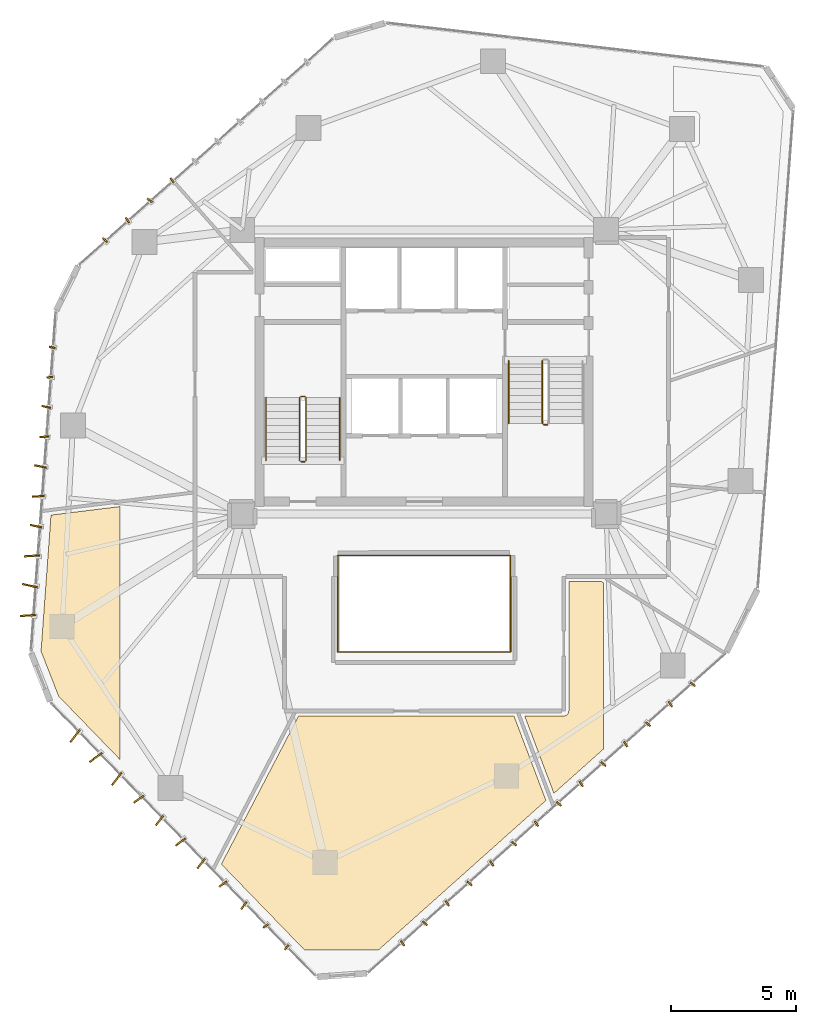
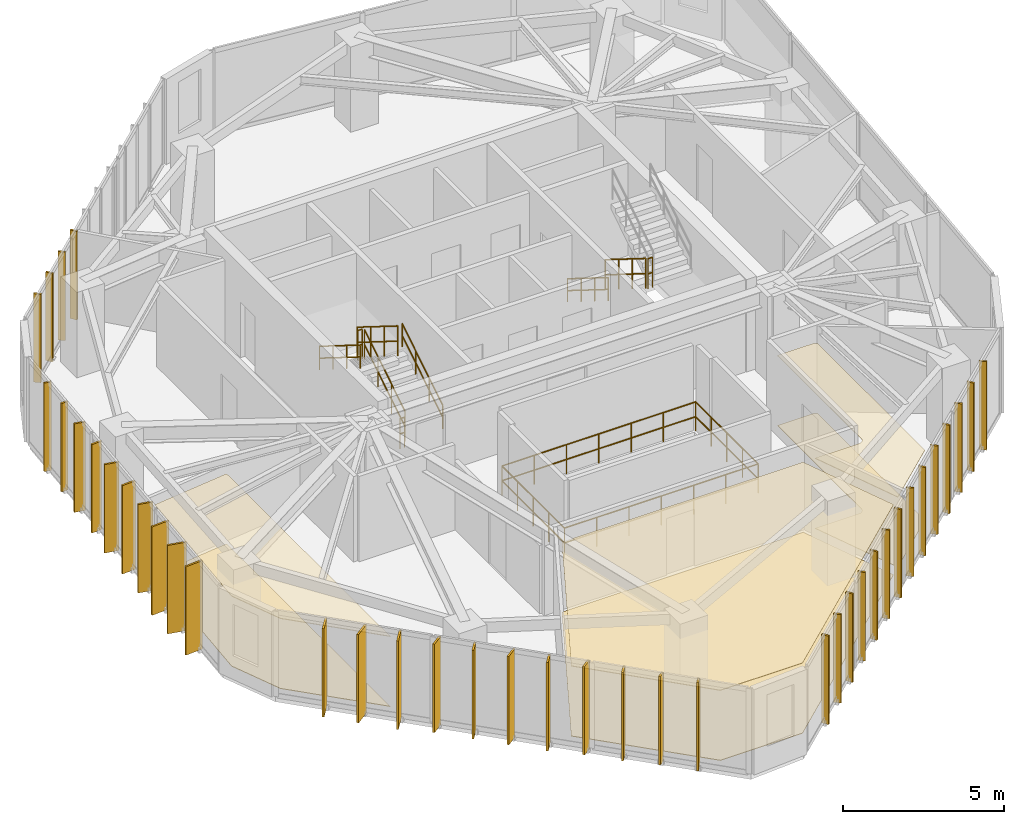
# One storey, part 19 of 20: 39 shading devices, 13 railings, 6 coverings.
"""IFC4 building model written with IfcOpenShell, lengths in metres."""

from ifc_helpers import new_model, si_unit, direction, frame, origin, origin_2d, place, context, subcontext, project, spatial, polyline, rectangle, circle, outline, extrude, source, transform, mapped, material, layer, layer_set, type_object, type_shapes, element, save


model = new_model("IFC4")

# Units and contexts
model_context = context("Model", 3, precision=1e-05, world=origin(), true_north=direction((0.0, 1.0)))
body_context = subcontext(model_context, "Body", "Model", "MODEL_VIEW")
ifc_project = project(units=[si_unit("LENGTHUNIT", "METRE"), si_unit("AREAUNIT", "SQUARE_METRE"), si_unit("VOLUMEUNIT", "CUBIC_METRE"), si_unit("PLANEANGLEUNIT", "RADIAN"), si_unit("MASSUNIT", "GRAM", prefix="KILO")], contexts=[model_context])

# Site, building, storey
site_placement = place(None, origin())
site = spatial("IfcSite", under=ifc_project, at=site_placement, CompositionType="ELEMENT")
building_placement = place(site_placement, origin())
building = spatial("IfcBuilding", under=site, at=building_placement, Name="Talar Marvaseh", CompositionType="ELEMENT")
storey_placement = place(building_placement, frame((0.0, 0.0, 215.199951171875)))
storey = spatial("IfcBuildingStorey", under=building, at=storey_placement, Name="L56", CompositionType="ELEMENT", Elevation=215.199951171875)

# Railings
ifc_material_1 = material(Name="Stainless Steel Grade 316", Category="steel")
railing_type_1 = type_object("IfcRailingType", Name="Brushed Stainless Wall Pitch Handrail 900", PredefinedType="HANDRAIL", material=ifc_material_1)
railing_1_placement = place(storey_placement, frame((22.610107421875, 27.64990234375, 0.175048828125)))
element("IfcRailing", 1, at=railing_1_placement, inside=storey, type_object=railing_type_1, Name="L56 ST-1 stair handrail 1", PredefinedType="HANDRAIL", context=body_context, shape_type="SweptSolid", body=[
    extrude(circle(Radius=0.02392578125, at=origin_2d()), frame((0.0, 0.0, 0.8759765625), z_axis=(0.0, 0.848007534815, 0.529984170421), x_axis=(-1.0, 0.0, 0.0)), (0.0, 0.0, 1.0), 2.9716796875),
    extrude(circle(Radius=0.02392578125, at=origin_2d()), frame((0.0, 0.0, 0.42578125), z_axis=(0.0, 0.848007534815, 0.529984170421), x_axis=(-1.0, 0.0, 0.0)), (0.0, 0.0, 1.0), 2.9716796875),
    extrude(circle(Radius=0.02099609375, at=origin_2d()), origin(), (0.0, 0.0, 1.0), 0.851806640625),
    extrude(circle(Radius=0.02099609375, at=origin_2d()), frame((0.0, 0.840087890625, 0.52490234375)), (0.0, 0.0, 1.0), 0.851806640625),
    extrude(circle(Radius=0.02099609375, at=origin_2d()), frame((0.0, 1.679931640625, 1.050048828125)), (0.0, 0.0, 1.0), 0.851806640625),
    extrude(circle(Radius=0.02099609375, at=origin_2d()), frame((0.0, 2.52001953125, 1.574951171875)), (0.0, 0.0, 1.0), 0.851806640625),
])
for number, where, name in (
    (2, (19.64990234375, 30.169921875, 1.925048828125), "L56 ST-1 stair handrail 2"),
    (3, (29.389892578125, 31.64990234375, 0.175048828125), "L56 ST-2 stair handrail 1"),
):
    element("IfcRailing", number, at=place(storey_placement, frame(where)), inside=storey, type_object=railing_type_1, Name=name, PredefinedType="HANDRAIL", context=body_context, shape_type="SweptSolid", body=[
        extrude(circle(Radius=0.02392578125, at=origin_2d()), frame((0.0, 0.0, 0.8759765625), z_axis=(0.0, -0.848007534815, 0.529984170421), x_axis=(1.0, 0.0, 0.0)), (0.0, 0.0, 1.0), 2.9716796875),
        extrude(circle(Radius=0.02392578125, at=origin_2d()), frame((0.0, 0.0, 0.42578125), z_axis=(0.0, -0.848007534815, 0.529984170421), x_axis=(1.0, 0.0, 0.0)), (0.0, 0.0, 1.0), 2.9716796875),
        extrude(circle(Radius=0.02099609375, at=origin_2d()), origin(), (0.0, 0.0, 1.0), 0.851806640625),
        extrude(circle(Radius=0.02099609375, at=origin_2d()), frame((0.0, -0.840087890625, 0.52490234375)), (0.0, 0.0, 1.0), 0.851806640625),
        extrude(circle(Radius=0.02099609375, at=origin_2d()), frame((0.0, -1.679931640625, 1.050048828125)), (0.0, 0.0, 1.0), 0.851806640625),
        extrude(circle(Radius=0.02099609375, at=origin_2d()), frame((0.0, -2.52001953125, 1.574951171875)), (0.0, 0.0, 1.0), 0.851806640625),
    ])
ifc_material_2 = material(Name="Tempered Clear Glass", Category="glass")
railing_type_2 = type_object("IfcRailingType", Name="Interior Atrium Edge Balustrade 1120", PredefinedType="BALUSTRADE", material=ifc_material_2)
railing_2_placement = place(storey_placement, frame((22.5302734375, 19.9609375, 0.0)))
element("IfcRailing", 4, at=railing_2_placement, inside=storey, type_object=railing_type_2, Name="L56 Internal Daylight Atrium Balustrade 1", PredefinedType="BALUSTRADE", context=body_context, shape_type="SweptSolid", body=[
    extrude(circle(Radius=0.02392578125, at=origin_2d()), frame((0.0, 0.0, 1.09619140625), z_axis=(1.0, 0.0, 0.0), x_axis=(0.0, 1.0, 0.0)), (0.0, 0.0, 1.0), 6.939453125),
    extrude(circle(Radius=0.02392578125, at=origin_2d()), frame((0.0, 0.0, 0.5361328125), z_axis=(1.0, 0.0, 0.0), x_axis=(0.0, 1.0, 0.0)), (0.0, 0.0, 1.0), 6.939453125),
    extrude(circle(Radius=0.02099609375, at=origin_2d()), origin(), (0.0, 0.0, 1.0), 1.072021484375),
    extrude(circle(Radius=0.02099609375, at=origin_2d()), frame((1.156494140625, 0.0, 0.0)), (0.0, 0.0, 1.0), 1.072021484375),
    extrude(circle(Radius=0.02099609375, at=origin_2d()), frame((2.313232421875, 0.0, 0.0)), (0.0, 0.0, 1.0), 1.072021484375),
    extrude(circle(Radius=0.02099609375, at=origin_2d()), frame((3.4697265625, 0.0, 0.0)), (0.0, 0.0, 1.0), 1.072021484375),
    extrude(circle(Radius=0.02099609375, at=origin_2d()), frame((4.626220703125, 0.0, 0.0)), (0.0, 0.0, 1.0), 1.072021484375),
    extrude(circle(Radius=0.02099609375, at=origin_2d()), frame((5.782958984375, 0.0, 0.0)), (0.0, 0.0, 1.0), 1.072021484375),
    extrude(circle(Radius=0.02099609375, at=origin_2d()), frame((6.939453125, 0.0, 0.0)), (0.0, 0.0, 1.0), 1.072021484375),
])
railing_3_placement = place(storey_placement, frame((29.4697265625, 19.9609375, 0.0)))
element("IfcRailing", 5, at=railing_3_placement, inside=storey, type_object=railing_type_2, Name="L56 Internal Daylight Atrium Balustrade 2", PredefinedType="BALUSTRADE", context=body_context, shape_type="SweptSolid", body=[
    extrude(circle(Radius=0.02392578125, at=origin_2d()), frame((0.0, 0.0, 1.09619140625), z_axis=(0.0, 1.0, 0.0), x_axis=(-1.0, 0.0, 0.0)), (0.0, 0.0, 1.0), 3.878173828125),
    extrude(circle(Radius=0.02392578125, at=origin_2d()), frame((0.0, 0.0, 0.5361328125), z_axis=(0.0, 1.0, 0.0), x_axis=(-1.0, 0.0, 0.0)), (0.0, 0.0, 1.0), 3.878173828125),
    extrude(circle(Radius=0.02099609375, at=origin_2d()), origin(), (0.0, 0.0, 1.0), 1.072021484375),
    extrude(circle(Radius=0.02099609375, at=origin_2d()), frame((0.0, 0.969482421875, 0.0)), (0.0, 0.0, 1.0), 1.072021484375),
    extrude(circle(Radius=0.02099609375, at=origin_2d()), frame((0.0, 1.93896484375, 0.0)), (0.0, 0.0, 1.0), 1.072021484375),
    extrude(circle(Radius=0.02099609375, at=origin_2d()), frame((0.0, 2.90869140625, 0.0)), (0.0, 0.0, 1.0), 1.072021484375),
    extrude(circle(Radius=0.02099609375, at=origin_2d()), frame((0.0, 3.878173828125, 0.0)), (0.0, 0.0, 1.0), 1.072021484375),
])
railing_4_placement = place(storey_placement, frame((29.4697265625, 23.839111328125, 0.0)))
element("IfcRailing", 6, at=railing_4_placement, inside=storey, type_object=railing_type_2, Name="L56 Internal Daylight Atrium Balustrade 3", PredefinedType="BALUSTRADE", context=body_context, shape_type="SweptSolid", body=[
    extrude(circle(Radius=0.02392578125, at=origin_2d()), frame((0.0, 0.0, 1.09619140625), z_axis=(-1.0, 0.0, 0.0), x_axis=(0.0, -1.0, 0.0)), (0.0, 0.0, 1.0), 6.939453125),
    extrude(circle(Radius=0.02392578125, at=origin_2d()), frame((0.0, 0.0, 0.5361328125), z_axis=(-1.0, 0.0, 0.0), x_axis=(0.0, -1.0, 0.0)), (0.0, 0.0, 1.0), 6.939453125),
    extrude(circle(Radius=0.02099609375, at=origin_2d()), origin(), (0.0, 0.0, 1.0), 1.072021484375),
    extrude(circle(Radius=0.02099609375, at=origin_2d()), frame((-1.156494140625, 0.0, 0.0)), (0.0, 0.0, 1.0), 1.072021484375),
    extrude(circle(Radius=0.02099609375, at=origin_2d()), frame((-2.313232421875, 0.0, 0.0)), (0.0, 0.0, 1.0), 1.072021484375),
    extrude(circle(Radius=0.02099609375, at=origin_2d()), frame((-3.4697265625, 0.0, 0.0)), (0.0, 0.0, 1.0), 1.072021484375),
    extrude(circle(Radius=0.02099609375, at=origin_2d()), frame((-4.626220703125, 0.0, 0.0)), (0.0, 0.0, 1.0), 1.072021484375),
    extrude(circle(Radius=0.02099609375, at=origin_2d()), frame((-5.782958984375, 0.0, 0.0)), (0.0, 0.0, 1.0), 1.072021484375),
    extrude(circle(Radius=0.02099609375, at=origin_2d()), frame((-6.939453125, 0.0, 0.0)), (0.0, 0.0, 1.0), 1.072021484375),
])
railing_5_placement = place(storey_placement, frame((22.5302734375, 23.839111328125, 0.0)))
element("IfcRailing", 7, at=railing_5_placement, inside=storey, type_object=railing_type_2, Name="L56 Internal Daylight Atrium Balustrade 4", PredefinedType="BALUSTRADE", context=body_context, shape_type="SweptSolid", body=[
    extrude(circle(Radius=0.02392578125, at=origin_2d()), frame((0.0, 0.0, 1.09619140625), z_axis=(0.0, -1.0, 0.0), x_axis=(1.0, 0.0, 0.0)), (0.0, 0.0, 1.0), 3.878173828125),
    extrude(circle(Radius=0.02392578125, at=origin_2d()), frame((0.0, 0.0, 0.5361328125), z_axis=(0.0, -1.0, 0.0), x_axis=(1.0, 0.0, 0.0)), (0.0, 0.0, 1.0), 3.878173828125),
    extrude(circle(Radius=0.02099609375, at=origin_2d()), origin(), (0.0, 0.0, 1.0), 1.072021484375),
    extrude(circle(Radius=0.02099609375, at=origin_2d()), frame((0.0, -0.969482421875, 0.0)), (0.0, 0.0, 1.0), 1.072021484375),
    extrude(circle(Radius=0.02099609375, at=origin_2d()), frame((0.0, -1.93896484375, 0.0)), (0.0, 0.0, 1.0), 1.072021484375),
    extrude(circle(Radius=0.02099609375, at=origin_2d()), frame((0.0, -2.90869140625, 0.0)), (0.0, 0.0, 1.0), 1.072021484375),
    extrude(circle(Radius=0.02099609375, at=origin_2d()), frame((0.0, -3.878173828125, 0.0)), (0.0, 0.0, 1.0), 1.072021484375),
])
railing_type_3 = type_object("IfcRailingType", Name="Painted Steel Core Stair Well Guardrail 1150", PredefinedType="GUARDRAIL", material=ifc_material_1)
railing_6_placement = place(storey_placement, frame((21.260009765625, 27.64990234375, 0.175048828125)))
element("IfcRailing", 8, at=railing_6_placement, inside=storey, type_object=railing_type_3, Name="L56 ST-1 stair guard 1", PredefinedType="GUARDRAIL", context=body_context, shape_type="SweptSolid", body=[
    extrude(circle(Radius=0.02392578125, at=origin_2d()), frame((0.0, 0.0, 1.1259765625), z_axis=(0.0, 0.848007534815, 0.529984170421), x_axis=(-1.0, 0.0, 0.0)), (0.0, 0.0, 1.0), 2.9716796875),
    extrude(circle(Radius=0.02392578125, at=origin_2d()), frame((0.0, 0.0, 0.55078125), z_axis=(0.0, 0.848007534815, 0.529984170421), x_axis=(-1.0, 0.0, 0.0)), (0.0, 0.0, 1.0), 2.9716796875),
    extrude(circle(Radius=0.02099609375, at=origin_2d()), origin(), (0.0, 0.0, 1.0), 1.101806640625),
    extrude(circle(Radius=0.02099609375, at=origin_2d()), frame((0.0, 0.840087890625, 0.52490234375)), (0.0, 0.0, 1.0), 1.101806640625),
    extrude(circle(Radius=0.02099609375, at=origin_2d()), frame((0.0, 1.679931640625, 1.050048828125)), (0.0, 0.0, 1.0), 1.101806640625),
    extrude(circle(Radius=0.02099609375, at=origin_2d()), frame((0.0, 2.52001953125, 1.574951171875)), (0.0, 0.0, 1.0), 1.101806640625),
])
railing_7_placement = place(storey_placement, frame((21.2099609375, 30.219970703125, 1.75)))
element("IfcRailing", 9, at=railing_7_placement, inside=storey, type_object=railing_type_3, Name="L56 ST-1 stair guard 2", PredefinedType="GUARDRAIL", context=body_context, shape_type="SweptSolid", body=[
    extrude(circle(Radius=0.02392578125, at=origin_2d()), frame((0.0, 0.0, 1.1259765625), z_axis=(-1.0, 0.0, 0.0), x_axis=(0.0, -1.0, 0.0)), (0.0, 0.0, 1.0), 0.159912109375),
    extrude(circle(Radius=0.02392578125, at=origin_2d()), frame((0.0, 0.0, 0.55078125), z_axis=(-1.0, 0.0, 0.0), x_axis=(0.0, -1.0, 0.0)), (0.0, 0.0, 1.0), 0.159912109375),
    extrude(circle(Radius=0.02099609375, at=origin_2d()), origin(), (0.0, 0.0, 1.0), 1.101806640625),
    extrude(circle(Radius=0.02099609375, at=origin_2d()), frame((-0.159912109375, 0.0, 0.0)), (0.0, 0.0, 1.0), 1.101806640625),
])
railing_8_placement = place(storey_placement, frame((21.0, 30.169921875, 1.925048828125)))
element("IfcRailing", 10, at=railing_8_placement, inside=storey, type_object=railing_type_3, Name="L56 ST-1 stair guard 3", PredefinedType="GUARDRAIL", context=body_context, shape_type="SweptSolid", body=[
    extrude(circle(Radius=0.02392578125, at=origin_2d()), frame((0.0, 0.0, 1.1259765625), z_axis=(0.0, -0.848007534815, 0.529984170421), x_axis=(1.0, 0.0, 0.0)), (0.0, 0.0, 1.0), 2.9716796875),
    extrude(circle(Radius=0.02392578125, at=origin_2d()), frame((0.0, 0.0, 0.55078125), z_axis=(0.0, -0.848007534815, 0.529984170421), x_axis=(1.0, 0.0, 0.0)), (0.0, 0.0, 1.0), 2.9716796875),
    extrude(circle(Radius=0.02099609375, at=origin_2d()), origin(), (0.0, 0.0, 1.0), 1.101806640625),
    extrude(circle(Radius=0.02099609375, at=origin_2d()), frame((0.0, -0.840087890625, 0.52490234375)), (0.0, 0.0, 1.0), 1.101806640625),
    extrude(circle(Radius=0.02099609375, at=origin_2d()), frame((0.0, -1.679931640625, 1.050048828125)), (0.0, 0.0, 1.0), 1.101806640625),
    extrude(circle(Radius=0.02099609375, at=origin_2d()), frame((0.0, -2.52001953125, 1.574951171875)), (0.0, 0.0, 1.0), 1.101806640625),
])
railing_9_placement = place(storey_placement, frame((21.2099609375, 27.60009765625, 0.0)))
element("IfcRailing", 11, at=railing_9_placement, inside=storey, type_object=railing_type_3, Name="L56 ST-1 stair guard 4", PredefinedType="GUARDRAIL", context=body_context, shape_type="SweptSolid", body=[
    extrude(circle(Radius=0.02392578125, at=origin_2d()), frame((0.0, 0.0, 1.1259765625), z_axis=(-1.0, 0.0, 0.0), x_axis=(0.0, -1.0, 0.0)), (0.0, 0.0, 1.0), 0.159912109375),
    extrude(circle(Radius=0.02392578125, at=origin_2d()), frame((0.0, 0.0, 0.55078125), z_axis=(-1.0, 0.0, 0.0), x_axis=(0.0, -1.0, 0.0)), (0.0, 0.0, 1.0), 0.159912109375),
    extrude(circle(Radius=0.02099609375, at=origin_2d()), origin(), (0.0, 0.0, 1.0), 1.101806640625),
    extrude(circle(Radius=0.02099609375, at=origin_2d()), frame((-0.159912109375, 0.0, 0.0)), (0.0, 0.0, 1.0), 1.101806640625),
])
railing_10_placement = place(storey_placement, frame((30.739990234375, 31.64990234375, 0.175048828125)))
element("IfcRailing", 12, at=railing_10_placement, inside=storey, type_object=railing_type_3, Name="L56 ST-2 stair guard 1", PredefinedType="GUARDRAIL", context=body_context, shape_type="SweptSolid", body=[
    extrude(circle(Radius=0.02392578125, at=origin_2d()), frame((0.0, 0.0, 1.1259765625), z_axis=(0.0, -0.848007534815, 0.529984170421), x_axis=(1.0, 0.0, 0.0)), (0.0, 0.0, 1.0), 2.9716796875),
    extrude(circle(Radius=0.02392578125, at=origin_2d()), frame((0.0, 0.0, 0.55078125), z_axis=(0.0, -0.848007534815, 0.529984170421), x_axis=(1.0, 0.0, 0.0)), (0.0, 0.0, 1.0), 2.9716796875),
    extrude(circle(Radius=0.02099609375, at=origin_2d()), origin(), (0.0, 0.0, 1.0), 1.101806640625),
    extrude(circle(Radius=0.02099609375, at=origin_2d()), frame((0.0, -0.840087890625, 0.52490234375)), (0.0, 0.0, 1.0), 1.101806640625),
    extrude(circle(Radius=0.02099609375, at=origin_2d()), frame((0.0, -1.679931640625, 1.050048828125)), (0.0, 0.0, 1.0), 1.101806640625),
    extrude(circle(Radius=0.02099609375, at=origin_2d()), frame((0.0, -2.52001953125, 1.574951171875)), (0.0, 0.0, 1.0), 1.101806640625),
])
railing_11_placement = place(storey_placement, frame((30.7900390625, 29.080078125, 1.75)))
element("IfcRailing", 13, at=railing_11_placement, inside=storey, type_object=railing_type_3, Name="L56 ST-2 stair guard 2", PredefinedType="GUARDRAIL", context=body_context, shape_type="SweptSolid", body=[
    extrude(circle(Radius=0.02392578125, at=origin_2d()), frame((0.0, 0.0, 1.1259765625), z_axis=(1.0, 0.0, 0.0), x_axis=(0.0, 1.0, 0.0)), (0.0, 0.0, 1.0), 0.159912109375),
    extrude(circle(Radius=0.02392578125, at=origin_2d()), frame((0.0, 0.0, 0.55078125), z_axis=(1.0, 0.0, 0.0), x_axis=(0.0, 1.0, 0.0)), (0.0, 0.0, 1.0), 0.159912109375),
    extrude(circle(Radius=0.02099609375, at=origin_2d()), origin(), (0.0, 0.0, 1.0), 1.101806640625),
    extrude(circle(Radius=0.02099609375, at=origin_2d()), frame((0.159912109375, 0.0, 0.0)), (0.0, 0.0, 1.0), 1.101806640625),
])

# Coverings
ifc_material_3 = material(Name="Mineral Fibre Acoustic Ceiling")
ifc_layer_1 = layer(ifc_material_3, 0.02490234375)
ifc_layer_set_1 = layer_set([ifc_layer_1], Name="Mineral Fibre Acoustic Ceiling")
covering_type_1 = type_object("IfcCoveringType", Name="Perforated Mineral Fibre Acoustic Suspended Ceiling", PredefinedType="CEILING", material=ifc_layer_set_1)
covering_1_placement = place(storey_placement, frame((0.0, 0.0, 2.650146484375)))
element("IfcCovering", 14, at=covering_1_placement, inside=storey, type_object=covering_type_1, Name="L56 Gallery Concierge Reception Acoustic Ceiling", PredefinedType="CEILING", context=body_context, shape_type="SweptSolid", body=[
    extrude(outline(polyline([(13.800048828125, 25.800537109375), (13.800048828125, 15.64404296875), (11.334716796875, 18.188232421875), (10.62646484375, 19.997802734375), (11.02587890625, 25.4599609375), (13.800048828125, 25.800537109375)])), origin(), (0.0, 0.0, 1.0), 0.02490234375),
])
covering_2_placement = place(storey_placement, frame((0.0, 0.0, 2.650146484375)))
element("IfcCovering", 15, at=covering_2_placement, inside=storey, type_object=covering_type_1, Name="L56 Museum Publication Bookshop Acoustic Ceiling", PredefinedType="CEILING", context=body_context, shape_type="SweptSolid", body=[
    extrude(outline(polyline([(20.960693359375, 17.39990234375), (29.602294921875, 17.39990234375), (30.884033203125, 14.0078125), (24.15478515625, 8.0), (21.20654296875, 8.0), (17.86083984375, 11.453125), (20.960693359375, 17.39990234375)])), origin(), (0.0, 0.0, 1.0), 0.02490234375),
])
covering_3_placement = place(storey_placement, frame((0.0, 0.0, 2.650146484375)))
element("IfcCovering", 16, at=covering_3_placement, inside=storey, type_object=covering_type_1, Name="L56 Visitor Orientation Foyer Acoustic Ceiling", PredefinedType="CEILING", context=body_context, shape_type="SweptSolid", body=[
    extrude(outline(polyline([(31.61962890625, 17.40087890625), (31.638916015625, 17.40380859375), (31.658203125, 17.40869140625), (31.676513671875, 17.415283203125), (31.6943359375, 17.423583984375), (31.711181640625, 17.43359375), (31.726806640625, 17.4453125), (31.741455078125, 17.45849609375), (31.754638671875, 17.47314453125), (31.766357421875, 17.489013671875), (31.7763671875, 17.505615234375), (31.784912109375, 17.5234375), (31.79150390625, 17.5419921875), (31.796142578125, 17.56103515625), (31.799072265625, 17.580322265625), (31.800048828125, 17.60009765625), (31.800048828125, 22.800048828125), (33.099365234375, 22.800048828125), (33.199951171875, 22.73681640625), (33.199951171875, 16.07568359375), (31.203857421875, 14.29345703125), (30.030029296875, 17.39990234375), (31.60009765625, 17.39990234375), (31.61962890625, 17.40087890625)])), origin(), (0.0, 0.0, 1.0), 0.02490234375),
])
ifc_material_4 = material(Name="Porcelain Stoneware Tile", Category="masonry")
ifc_layer_2 = layer(ifc_material_4, 0.02001953125)
ifc_layer_set_2 = layer_set([ifc_layer_2], Name="Porcelain Stoneware Tile")
covering_type_2 = type_object("IfcCoveringType", Name="Polished Porcelain Stoneware Gallery Flooring", PredefinedType="FLOORING", material=ifc_layer_set_2)
covering_4_placement = place(storey_placement, origin())
element("IfcCovering", 17, at=covering_4_placement, inside=storey, type_object=covering_type_2, Name="L56 Gallery Concierge Reception Flooring", PredefinedType="FLOORING", context=body_context, shape_type="SweptSolid", body=[
    extrude(outline(polyline([(13.800048828125, 25.800537109375), (13.800048828125, 15.64404296875), (11.334716796875, 18.188232421875), (10.62646484375, 19.997802734375), (11.02587890625, 25.4599609375), (13.800048828125, 25.800537109375)])), origin(), (0.0, 0.0, 1.0), 0.02001953125),
])
covering_5_placement = place(storey_placement, origin())
element("IfcCovering", 18, at=covering_5_placement, inside=storey, type_object=covering_type_2, Name="L56 Museum Publication Bookshop Flooring", PredefinedType="FLOORING", context=body_context, shape_type="SweptSolid", body=[
    extrude(outline(polyline([(20.960693359375, 17.39990234375), (29.602294921875, 17.39990234375), (30.884033203125, 14.0078125), (24.15478515625, 8.0), (21.20654296875, 8.0), (17.86083984375, 11.453125), (20.960693359375, 17.39990234375)])), origin(), (0.0, 0.0, 1.0), 0.02001953125),
])
covering_6_placement = place(storey_placement, origin())
element("IfcCovering", 19, at=covering_6_placement, inside=storey, type_object=covering_type_2, Name="L56 Visitor Orientation Foyer Flooring", PredefinedType="FLOORING", context=body_context, shape_type="SweptSolid", body=[
    extrude(outline(polyline([(31.61962890625, 17.40087890625), (31.638916015625, 17.40380859375), (31.658203125, 17.40869140625), (31.676513671875, 17.415283203125), (31.6943359375, 17.423583984375), (31.711181640625, 17.43359375), (31.726806640625, 17.4453125), (31.741455078125, 17.45849609375), (31.754638671875, 17.47314453125), (31.766357421875, 17.489013671875), (31.7763671875, 17.505615234375), (31.784912109375, 17.5234375), (31.79150390625, 17.5419921875), (31.796142578125, 17.56103515625), (31.799072265625, 17.580322265625), (31.800048828125, 17.60009765625), (31.800048828125, 22.800048828125), (33.099365234375, 22.800048828125), (33.199951171875, 22.73681640625), (33.199951171875, 16.07568359375), (31.203857421875, 14.29345703125), (30.030029296875, 17.39990234375), (31.60009765625, 17.39990234375), (31.61962890625, 17.40087890625)])), origin(), (0.0, 0.0, 1.0), 0.02001953125),
])

# Shading devices
ifc_material_5 = material(Name="Anodised Champagne Bronze Aluminium", Category="aluminium")
ifc_layer_3 = layer(ifc_material_5, 0.06494140625)
ifc_layer_set_3 = layer_set([ifc_layer_3], Name="Anodised Champagne Bronze Aluminium")
shading_device_type_1 = type_object("IfcShadingDeviceType", Name="Sawtooth Champagne Bronze Vertical Fin 240", PredefinedType="USERDEFINED", material=ifc_layer_set_3)
shared_shape_1 = source(origin(), body_context, "Body", "SweptSolid", [
    extrude(rectangle(XDim=0.239990234375, YDim=0.06494140625, at=origin_2d()), origin(), (0.0, 0.0, 1.0), 3.35009765625),
])
type_shapes(shading_device_type_1, [shared_shape_1])
for number, where, z_axis, x_axis, name in (
    (20, (20.479736328125, 8.110595703125, -0.1201171875), (0.0, 0.0, 1.0), (-0.614285200099, -0.789084084835, 0.0), "L56 Sawtooth Vertical Solar Fin"),
    (21, (19.644775390625, 8.972412109375, -0.1201171875), (0.0, 0.0, 1.0), (-0.807989883898, -0.589196357353, 0.0), "L56 Sawtooth Vertical Solar Fin"),
    (22, (10.984130859375, 30.98974609375, -0.1201171875), (0.0, 0.0, 1.0), (-0.997778273548, -0.066622194773, 0.0), "L56 Sawtooth Vertical Solar Fin"),
    (23, (11.071533203125, 32.1865234375, -0.1201171875), (0.0, 0.0, 1.0), (-0.977489601007, 0.210983601077, 0.0), "L56 Sawtooth Vertical Solar Fin"),
    (24, (13.194091796875, 36.490478515625, -0.1201171875), (0.0, 0.0, 1.0), (-0.762442511011, 0.647055961569, 0.0), "L56 Sawtooth Vertical Solar Fin"),
    (25, (14.09033203125, 37.28857421875, -0.1201171875), (0.0, 0.0, 1.0), (-0.554553986878, 0.832147748683, 0.0), "L56 Sawtooth Vertical Solar Fin"),
    (26, (14.986572265625, 38.08642578125, -0.1201171875), (0.0, 0.0, 1.0), (-0.762442511011, 0.647055961569, 0.0), "L56 Sawtooth Vertical Solar Fin"),
    (27, (15.8828125, 38.884521484375, -0.1201171875), (0.0, 0.0, 1.0), (-0.554553986878, 0.832147748683, 0.0), "L56 Sawtooth Vertical Solar Fin"),
    (28, (36.771728515625, 18.668212890625, -0.1201171875), (0.0, 0.0, 1.0), (0.763345228065, -0.645990760607, 0.0), "L56 Sawtooth Vertical Solar Fin"),
    (29, (35.876708984375, 17.868896484375, -0.1201171875), (0.0, 0.0, 1.0), (0.555715343381, -0.831372634341, 0.0), "L56 Sawtooth Vertical Solar Fin"),
    (30, (34.9814453125, 17.069580078125, -0.1201171875), (0.0, 0.0, 1.0), (0.763345228065, -0.645990760607, 0.0), "L56 Sawtooth Vertical Solar Fin"),
    (31, (34.08642578125, 16.2705078125, -0.1201171875), (0.0, 0.0, 1.0), (0.555715343381, -0.831372634341, 0.0), "L56 Sawtooth Vertical Solar Fin"),
    (32, (33.191162109375, 15.47119140625, -0.1201171875), (0.0, 0.0, 1.0), (0.763345228065, -0.645990760607, 0.0), "L56 Sawtooth Vertical Solar Fin"),
    (33, (32.296142578125, 14.672119140625, -0.1201171875), (0.0, 0.0, 1.0), (0.555715343381, -0.831372634341, 0.0), "L56 Sawtooth Vertical Solar Fin"),
    (34, (31.40087890625, 13.872802734375, -0.1201171875), (0.0, 0.0, 1.0), (0.763345228065, -0.645990760607, 0.0), "L56 Sawtooth Vertical Solar Fin"),
    (35, (30.505859375, 13.07373046875, -0.1201171875), (0.0, 0.0, 1.0), (0.555715343381, -0.831372634341, 0.0), "L56 Sawtooth Vertical Solar Fin"),
    (36, (29.610595703125, 12.2744140625, -0.1201171875), (0.0, 0.0, 1.0), (0.763345228065, -0.645990760607, 0.0), "L56 Sawtooth Vertical Solar Fin"),
    (37, (28.715576171875, 11.475341796875, -0.1201171875), (0.0, 0.0, 1.0), (0.555715343381, -0.831372634341, 0.0), "L56 Sawtooth Vertical Solar Fin"),
    (38, (27.8203125, 10.676025390625, -0.1201171875), (0.0, 0.0, 1.0), (0.763345228065, -0.645990760607, 0.0), "L56 Sawtooth Vertical Solar Fin"),
    (39, (26.92529296875, 9.876953125, -0.1201171875), (0.0, 0.0, 1.0), (0.555715343381, -0.831372634341, 0.0), "L56 Sawtooth Vertical Solar Fin"),
    (40, (26.030029296875, 9.07763671875, -0.1201171875), (0.0, 0.0, 1.0), (0.763345228065, -0.645990760607, 0.0), "L56 Sawtooth Vertical Solar Fin"),
    (41, (25.135009765625, 8.278564453125, -0.1201171875), (0.0, 0.0, 1.0), (0.555715343381, -0.831372634341, 0.0), "L56 Sawtooth Vertical Solar Fin"),
):
    element("IfcShadingDevice", number, at=place(storey_placement, frame(where, z_axis=z_axis, x_axis=x_axis)), inside=storey, type_object=shading_device_type_1, Name=name, ObjectType="FIN", PredefinedType="USERDEFINED", context=body_context, shape_type="MappedRepresentation", body=[
        mapped(shared_shape_1, transform((0.0, 0.0, 0.0), x_axis=(1.0, 0.0, 0.0), y_axis=(0.0, 1.0, 0.0), z_axis=(0.0, 0.0, 1.0), scale=1.0)),
    ])
ifc_layer_4 = layer(ifc_material_5, 0.06494140625)
ifc_layer_set_4 = layer_set([ifc_layer_4], Name="Anodised Champagne Bronze Aluminium")
shading_device_type_2 = type_object("IfcShadingDeviceType", Name="Sawtooth Champagne Bronze Vertical Fin 360", PredefinedType="USERDEFINED", material=ifc_layer_set_4)
shared_shape_2 = source(origin(), body_context, "Body", "SweptSolid", [
    extrude(rectangle(XDim=0.360107421875, YDim=0.06494140625, at=origin_2d()), origin(), (0.0, 0.0, 1.0), 3.35009765625),
])
type_shapes(shading_device_type_2, [shared_shape_2])
for number, where, z_axis, x_axis, name in (
    (42, (18.7666015625, 9.79248046875, -0.1201171875), (0.0, 0.0, 1.0), (-0.614285200099, -0.789084084835, 0.0), "L56 Sawtooth Vertical Solar Fin"),
    (43, (17.931396484375, 10.654296875, -0.1201171875), (0.0, 0.0, 1.0), (-0.807989883898, -0.589196357353, 0.0), "L56 Sawtooth Vertical Solar Fin"),
    (44, (10.749267578125, 28.600341796875, -0.1201171875), (0.0, 0.0, 1.0), (-0.997778273548, -0.066622194773, 0.0), "L56 Sawtooth Vertical Solar Fin"),
    (45, (10.836669921875, 29.797119140625, -0.1201171875), (0.0, 0.0, 1.0), (-0.977489601007, 0.210983601077, 0.0), "L56 Sawtooth Vertical Solar Fin"),
):
    element("IfcShadingDevice", number, at=place(storey_placement, frame(where, z_axis=z_axis, x_axis=x_axis)), inside=storey, type_object=shading_device_type_2, Name=name, ObjectType="FIN", PredefinedType="USERDEFINED", context=body_context, shape_type="MappedRepresentation", body=[
        mapped(shared_shape_2, transform((0.0, 0.0, 0.0), x_axis=(1.0, 0.0, 0.0), y_axis=(0.0, 1.0, 0.0), z_axis=(0.0, 0.0, 1.0), scale=1.0)),
    ])
ifc_layer_5 = layer(ifc_material_5, 0.06494140625)
ifc_layer_set_5 = layer_set([ifc_layer_5], Name="Anodised Champagne Bronze Aluminium")
shading_device_type_3 = type_object("IfcShadingDeviceType", Name="Sawtooth Champagne Bronze Vertical Fin 480", PredefinedType="USERDEFINED", material=ifc_layer_set_5)
shared_shape_3 = source(origin(), body_context, "Body", "SweptSolid", [
    extrude(rectangle(XDim=0.47998046875, YDim=0.06494140625, at=origin_2d()), origin(), (0.0, 0.0, 1.0), 3.35009765625),
])
type_shapes(shading_device_type_3, [shared_shape_3])
for number, where, z_axis, x_axis, name in (
    (46, (17.053466796875, 11.474365234375, -0.1201171875), (0.0, 0.0, 1.0), (-0.614285200099, -0.789084084835, 0.0), "L56 Sawtooth Vertical Solar Fin"),
    (47, (16.218505859375, 12.336181640625, -0.1201171875), (0.0, 0.0, 1.0), (-0.807989883898, -0.589196357353, 0.0), "L56 Sawtooth Vertical Solar Fin"),
    (48, (15.38330078125, 13.197998046875, -0.1201171875), (0.0, 0.0, 1.0), (-0.614285200099, -0.789084084835, 0.0), "L56 Sawtooth Vertical Solar Fin"),
    (49, (14.54833984375, 14.059814453125, -0.1201171875), (0.0, 0.0, 1.0), (-0.807989883898, -0.589196357353, 0.0), "L56 Sawtooth Vertical Solar Fin"),
    (50, (10.4267578125, 25.014404296875, -0.1201171875), (0.0, 0.0, 1.0), (-0.977489601007, 0.210983601077, 0.0), "L56 Sawtooth Vertical Solar Fin"),
    (51, (10.514404296875, 26.211181640625, -0.1201171875), (0.0, 0.0, 1.0), (-0.997778273548, -0.066622194773, 0.0), "L56 Sawtooth Vertical Solar Fin"),
    (52, (10.601806640625, 27.407958984375, -0.1201171875), (0.0, 0.0, 1.0), (-0.977489601007, 0.210983601077, 0.0), "L56 Sawtooth Vertical Solar Fin"),
):
    element("IfcShadingDevice", number, at=place(storey_placement, frame(where, z_axis=z_axis, x_axis=x_axis)), inside=storey, type_object=shading_device_type_3, Name=name, ObjectType="FIN", PredefinedType="USERDEFINED", context=body_context, shape_type="MappedRepresentation", body=[
        mapped(shared_shape_3, transform((0.0, 0.0, 0.0), x_axis=(1.0, 0.0, 0.0), y_axis=(0.0, 1.0, 0.0), z_axis=(0.0, 0.0, 1.0), scale=1.0)),
    ])
ifc_layer_6 = layer(ifc_material_5, 0.06494140625)
ifc_layer_set_6 = layer_set([ifc_layer_6], Name="Anodised Champagne Bronze Aluminium")
shading_device_type_4 = type_object("IfcShadingDeviceType", Name="Sawtooth Champagne Bronze Vertical Fin 620", PredefinedType="USERDEFINED", material=ifc_layer_set_6)
shared_shape_4 = source(origin(), body_context, "Body", "SweptSolid", [
    extrude(rectangle(XDim=0.6201171875, YDim=0.06494140625, at=origin_2d()), origin(), (0.0, 0.0, 1.0), 3.35009765625),
])
type_shapes(shading_device_type_4, [shared_shape_4])
for number, where, z_axis, x_axis, name in (
    (53, (13.6630859375, 14.872802734375, -0.1201171875), (0.0, 0.0, 1.0), (-0.614285200099, -0.789084084835, 0.0), "L56 Sawtooth Vertical Solar Fin"),
    (54, (12.827880859375, 15.734619140625, -0.1201171875), (0.0, 0.0, 1.0), (-0.807989883898, -0.589196357353, 0.0), "L56 Sawtooth Vertical Solar Fin"),
    (55, (11.992919921875, 16.596435546875, -0.1201171875), (0.0, 0.0, 1.0), (-0.614285200099, -0.789084084835, 0.0), "L56 Sawtooth Vertical Solar Fin"),
    (56, (10.094482421875, 21.42919921875, -0.1201171875), (0.0, 0.0, 1.0), (-0.997778273548, -0.066622194773, 0.0), "L56 Sawtooth Vertical Solar Fin"),
    (57, (10.181884765625, 22.6259765625, -0.1201171875), (0.0, 0.0, 1.0), (-0.977489601007, 0.210983601077, 0.0), "L56 Sawtooth Vertical Solar Fin"),
    (58, (10.26953125, 23.82275390625, -0.1201171875), (0.0, 0.0, 1.0), (-0.997778273548, -0.066622194773, 0.0), "L56 Sawtooth Vertical Solar Fin"),
):
    element("IfcShadingDevice", number, at=place(storey_placement, frame(where, z_axis=z_axis, x_axis=x_axis)), inside=storey, type_object=shading_device_type_4, Name=name, ObjectType="FIN", PredefinedType="USERDEFINED", context=body_context, shape_type="MappedRepresentation", body=[
        mapped(shared_shape_4, transform((0.0, 0.0, 0.0), x_axis=(1.0, 0.0, 0.0), y_axis=(0.0, 1.0, 0.0), z_axis=(0.0, 0.0, 1.0), scale=1.0)),
    ])

save(model, "model.ifc")
